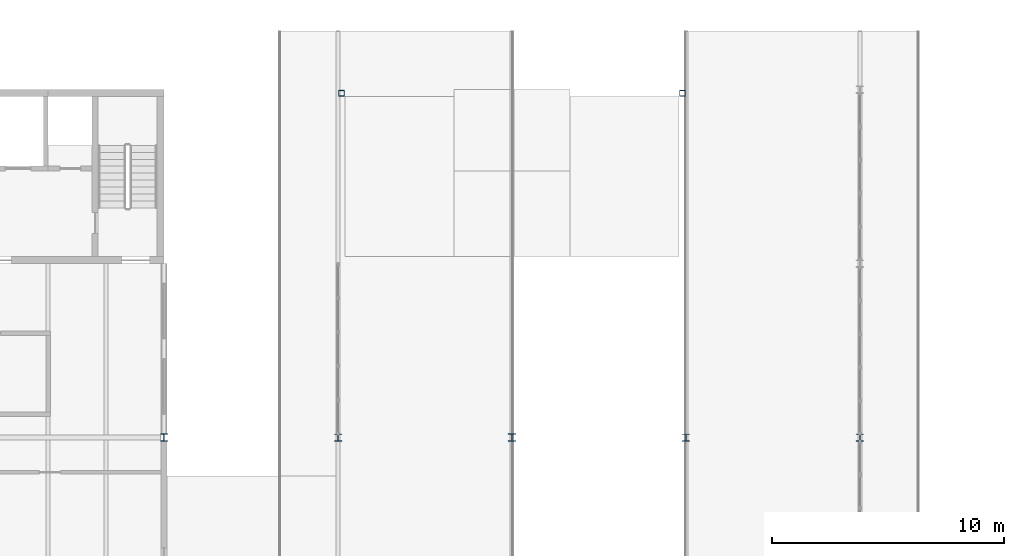
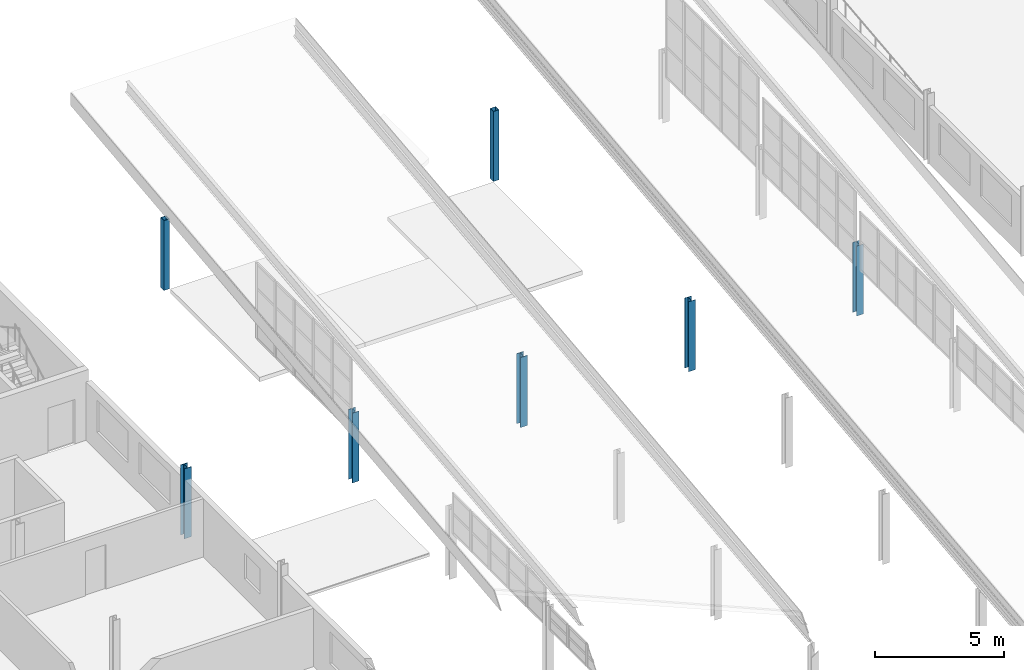
# One storey, part 15 of 199: 7 columns.
"""IFC4 building model written with IfcOpenShell, lengths in metres."""

from ifc_helpers import new_model, si_unit, direction, frame, origin, origin_2d, place, context, subcontext, project, spatial, hollow_rectangle, i_section, extrude, material, material_profile, profile_set, type_object, element, save


model = new_model("IFC4")

# Units and contexts
model_context = context("Model", 3, precision=1e-05, world=origin(), true_north=direction((0.0, 1.0)))
body_context = subcontext(model_context, "Body", "Model", "MODEL_VIEW")
ifc_project = project(units=[si_unit("LENGTHUNIT", "METRE"), si_unit("AREAUNIT", "SQUARE_METRE"), si_unit("VOLUMEUNIT", "CUBIC_METRE"), si_unit("PLANEANGLEUNIT", "RADIAN"), si_unit("MASSUNIT", "GRAM", prefix="KILO")], contexts=[model_context])

# Site, building, storey
site_placement = place(None, origin())
site = spatial("IfcSite", under=ifc_project, at=site_placement, CompositionType="ELEMENT")
building_placement = place(site_placement, origin())
building = spatial("IfcBuilding", under=site, at=building_placement, Name="Parallax Yard Mobility Hub", CompositionType="ELEMENT")
storey_placement = place(building_placement, frame((0.0, 0.0, 9.89990234375)))
storey = spatial("IfcBuildingStorey", under=building, at=storey_placement, Name="L03", CompositionType="ELEMENT", Elevation=9.89990234375)

# Columns
ifc_material_1 = material(Name="Steel ASTM A500 Gr C", Category="steel")
ifc_material_profile_1 = material_profile(ifc_material_1, hollow_rectangle(XDim=0.25390625, YDim=0.25390625, WallThickness=0.0126953125, at=origin_2d()), Name="HSS254x254x12.7")
ifc_profile_set_1 = profile_set([ifc_material_profile_1], Name="Steel ASTM A500 Gr C")
column_type_1 = type_object("IfcColumnType", Name="Roof column HSS254x254x12.7", PredefinedType="COLUMN", material=ifc_profile_set_1)
for number, where, z_axis, x_axis, name in (
    (1, (150.14990234375, 52.35009765625, 0.0), (0.0, 0.0, 1.0), (1.0, 0.0, 0.0), "Roof post on core roof at x 150 level L03"),
    (2, (164.85009765625, 52.35009765625, 0.0), (0.0, 0.0, 1.0), (1.0, 0.0, 0.0), "Roof post on core roof at x 165 level L03"),
):
    element("IfcColumn", number, at=place(storey_placement, frame(where, z_axis=z_axis, x_axis=x_axis)), inside=storey, type_object=column_type_1, Name=name, PredefinedType="COLUMN", context=body_context, shape_type="SweptSolid", body=[
        extrude(hollow_rectangle(XDim=0.25390625, YDim=0.25390625, WallThickness=0.0126953125, at=origin_2d()), origin(), (0.0, 0.0, 1.0), 3.300048828125),
    ])
ifc_material_2 = material(Name="Steel ASTM A992", Category="steel")
ifc_material_profile_2 = material_profile(ifc_material_2, i_section(OverallWidth=0.306884765625, OverallDepth=0.318115234375, WebThickness=0.01318359375, FlangeThickness=0.0205078125, FilletRadius=0.01513671875, at=origin_2d()), Name="W310x129")
ifc_profile_set_2 = profile_set([ifc_material_profile_2], Name="Steel ASTM A992")
column_type_2 = type_object("IfcColumnType", Name="W310x129 column", PredefinedType="COLUMN", material=ifc_profile_set_2)
column_1_placement = place(storey_placement, frame((142.5, 37.5, 0.0), z_axis=(0.0, 0.0, 1.0), x_axis=(1.0, 0.0, 0.0)))
element("IfcColumn", 3, at=column_1_placement, inside=storey, type_object=column_type_2, Name="Column C3 level L03 at F/20 of mobility service centre and workshops", PredefinedType="COLUMN", context=body_context, shape_type="SweptSolid", body=[
    extrude(i_section(OverallWidth=0.306884765625, OverallDepth=0.318115234375, WebThickness=0.01318359375, FlangeThickness=0.0205078125, FilletRadius=0.01513671875, at=origin_2d()), origin(), (0.0, 0.0, 1.0), 3.300048828125),
])
ifc_material_profile_3 = material_profile(ifc_material_2, i_section(OverallWidth=0.31005859375, OverallDepth=0.327880859375, WebThickness=0.015380859375, FlangeThickness=0.025146484375, FilletRadius=0.015380859375, at=origin_2d()), Name="W310x158")
ifc_profile_set_3 = profile_set([ifc_material_profile_3], Name="Steel ASTM A992")
column_type_3 = type_object("IfcColumnType", Name="W310x158 column", PredefinedType="COLUMN", material=ifc_profile_set_3)
column_2_placement = place(storey_placement, frame((157.5, 37.5, 0.0), z_axis=(0.0, 0.0, 1.0), x_axis=(1.0, 0.0, 0.0)))
element("IfcColumn", 4, at=column_2_placement, inside=storey, type_object=column_type_3, Name="Roof column F/22 level L03", PredefinedType="COLUMN", context=body_context, shape_type="SweptSolid", body=[
    extrude(i_section(OverallWidth=0.31005859375, OverallDepth=0.327880859375, WebThickness=0.015380859375, FlangeThickness=0.025146484375, FilletRadius=0.015380859375, at=origin_2d()), origin(), (0.0, 0.0, 1.0), 3.300048828125),
])
ifc_material_profile_4 = material_profile(ifc_material_2, i_section(OverallWidth=0.304931640625, OverallDepth=0.306884765625, WebThickness=0.010009765625, FlangeThickness=0.015380859375, FilletRadius=0.01513671875, at=origin_2d()), Name="W310x97")
ifc_profile_set_4 = profile_set([ifc_material_profile_4], Name="Steel ASTM A992")
column_type_4 = type_object("IfcColumnType", Name="W310x97 column", PredefinedType="COLUMN", material=ifc_profile_set_4)
for number, where, z_axis, x_axis, name in (
    (5, (150.0, 37.5, 0.0), (0.0, 0.0, 1.0), (1.0, 0.0, 0.0), "Roof column F/21 level L03"),
    (6, (165.0, 37.5, 0.0), (0.0, 0.0, 1.0), (1.0, 0.0, 0.0), "Roof column F/23 level L03"),
    (7, (172.5, 37.5, 0.0), (0.0, 0.0, 1.0), (1.0, 0.0, 0.0), "Roof column F/24 level L03"),
):
    element("IfcColumn", number, at=place(storey_placement, frame(where, z_axis=z_axis, x_axis=x_axis)), inside=storey, type_object=column_type_4, Name=name, PredefinedType="COLUMN", context=body_context, shape_type="SweptSolid", body=[
        extrude(i_section(OverallWidth=0.304931640625, OverallDepth=0.306884765625, WebThickness=0.010009765625, FlangeThickness=0.015380859375, FilletRadius=0.01513671875, at=origin_2d()), origin(), (0.0, 0.0, 1.0), 3.300048828125),
    ])

save(model, "model.ifc")
